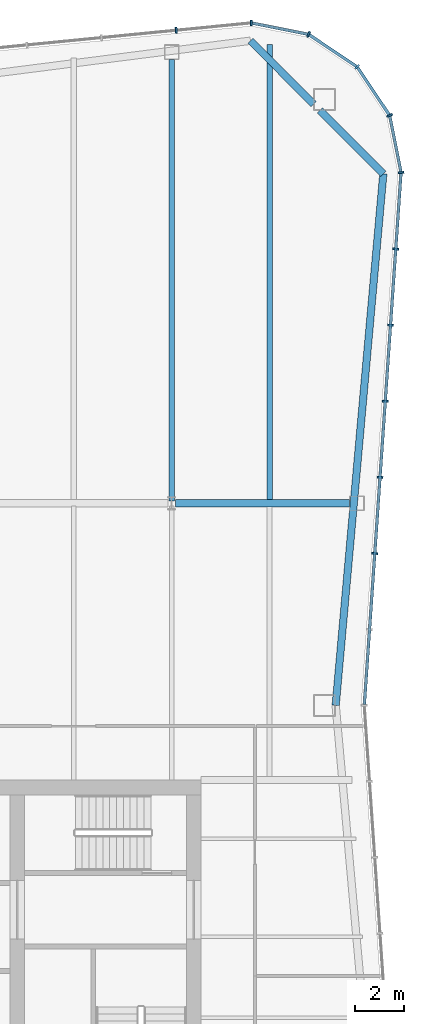
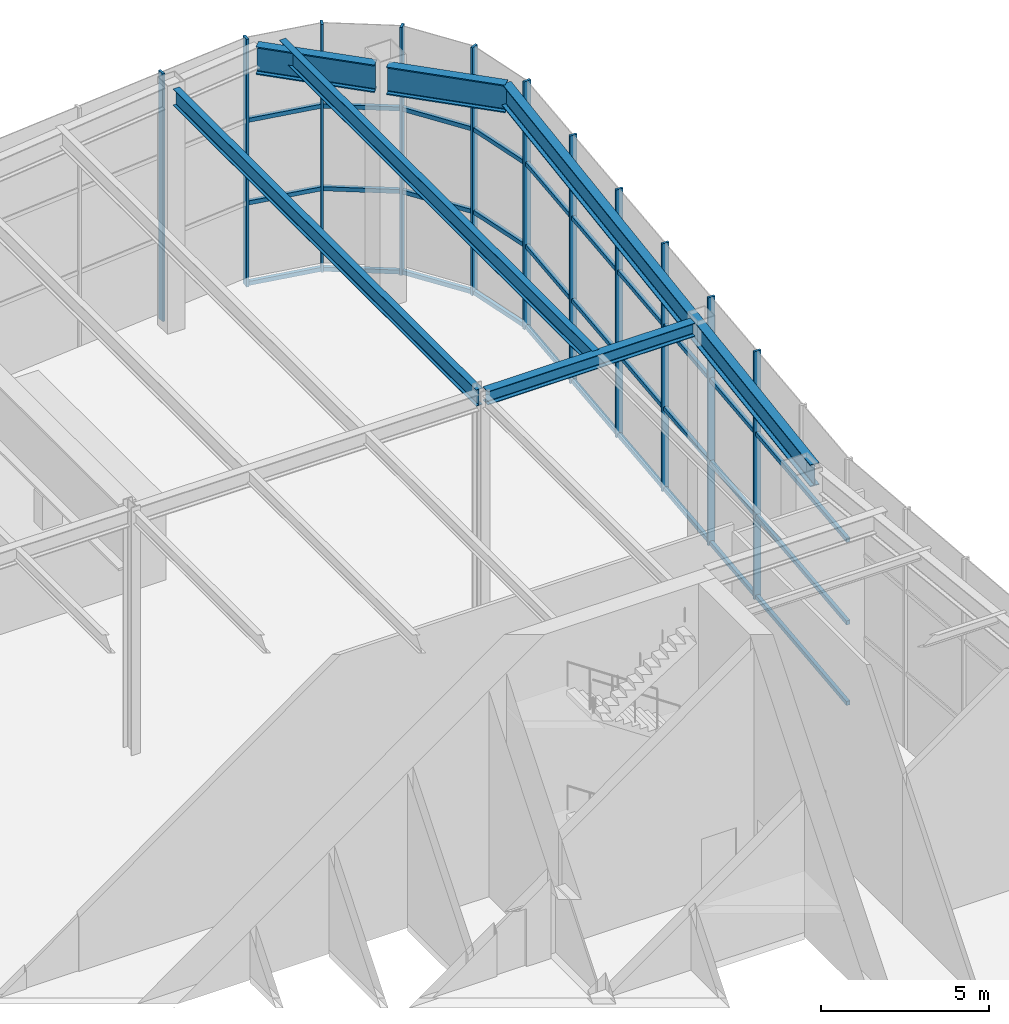
# One storey, part 7 of 16: 26 members, 6 beams, 3 elements without a shape of their own.
"""IFC4 building model written with IfcOpenShell, lengths in metres."""

import ifcopenshell
import ifcopenshell.guid

model = None  # the IFC model being written
_history = None  # IfcOwnerHistory: only IFC2X3 demands one
_inside = {}  # id of a spatial element -> (the spatial element, [elements in it])
_under = {}  # id of a project, library or spatial element -> (it, [spatial elements below it])
_declared = {}  # id of a project -> (the project, [libraries it declares])
_typed = {}  # id of a type object -> (the type object, [elements of that type])
_made_of = {}  # id of a material, layer set ... -> (it, [elements and type objects made of it])


def new_model(schema):
    """Start an empty IFC model of exactly this schema.

    Asked for "IFC4X3", IfcOpenShell would pick the latest addendum, in which some entities
    have other attributes; the version numbers below select the first issue.
    IFC2X3 requires an IfcOwnerHistory on every rooted entity: one is made here for all.
    """
    global model, _history
    if schema == "IFC4X3":
        model = ifcopenshell.file(schema_version=(4, 3, 0, 0))
    else:
        model = ifcopenshell.file(schema=schema)
    _inside.clear()
    _under.clear()
    _declared.clear()
    _typed.clear()
    _made_of.clear()
    _history = None
    if model.schema == "IFC2X3":
        org = make("IfcOrganization", Name="unknown")
        user = make(
            "IfcPersonAndOrganization",
            ThePerson=make("IfcPerson", FamilyName="unknown"),
            TheOrganization=org,
        )
        app = make(
            "IfcApplication",
            ApplicationDeveloper=org,
            Version="unknown",
            ApplicationFullName="unknown",
            ApplicationIdentifier="unknown",
        )
        _history = make(
            "IfcOwnerHistory",
            OwningUser=user,
            OwningApplication=app,
            ChangeAction="ADDED",
            CreationDate=0,
        )
    return model


def make(cls, **values):
    """One entity of the class cls with the attributes given. An attribute that is None is left unset."""
    return model.create_entity(
        cls, **{name: value for name, value in values.items() if value is not None}
    )


def rooted(cls, **values):
    """An entity with a GlobalId (a new one), such as an element, a storey or a relation."""
    return make(cls, GlobalId=ifcopenshell.guid.new(), OwnerHistory=_history, **values)


def si_unit(unit_type, name, prefix=None):
    """IfcSIUnit, for example si_unit("LENGTHUNIT", "METRE", prefix="MILLI")."""
    return make("IfcSIUnit", UnitType=unit_type, Prefix=prefix, Name=name)


def assignment(units):
    """IfcUnitAssignment: the units of a project."""
    return None if units is None else make("IfcUnitAssignment", Units=units)


def point(xyz):
    """IfcCartesianPoint."""
    return None if xyz is None else make("IfcCartesianPoint", Coordinates=xyz)


def direction(xyz):
    """IfcDirection."""
    return None if xyz is None else make("IfcDirection", DirectionRatios=xyz)


def frame(location, z_axis=None, x_axis=None):
    """IfcAxis2Placement3D, a coordinate frame: its origin and axes. An axis left out is left unset."""
    return make(
        "IfcAxis2Placement3D",
        Location=point(location),
        Axis=direction(z_axis),
        RefDirection=direction(x_axis),
    )


def frame_2d(location, x_axis=None):
    """IfcAxis2Placement2D, a coordinate frame in the plane: its origin and x axis."""
    return make(
        "IfcAxis2Placement2D", Location=point(location), RefDirection=direction(x_axis)
    )


def origin():
    """The frame at (0, 0, 0) with its axes left unset."""
    return frame((0.0, 0.0, 0.0))


def origin_2d():
    """The frame at (0, 0) in the plane with its x axis left unset."""
    return frame_2d((0.0, 0.0))


def place(relative_to, where):
    """IfcLocalPlacement: puts the frame where relative to a parent placement (None: the world)."""
    return make(
        "IfcLocalPlacement", PlacementRelTo=relative_to, RelativePlacement=where
    )


def context(
    kind, dimensions, precision=None, world=None, true_north=None, identifier=None
):
    """IfcGeometricRepresentationContext, for example the 3D "Model" context."""
    return make(
        "IfcGeometricRepresentationContext",
        ContextIdentifier=identifier,
        ContextType=kind,
        CoordinateSpaceDimension=dimensions,
        Precision=precision,
        WorldCoordinateSystem=world,
        TrueNorth=true_north,
    )


def subcontext(parent, identifier, kind, view, scale=None):
    """IfcGeometricRepresentationSubContext, for example "Body" below "Model"."""
    return make(
        "IfcGeometricRepresentationSubContext",
        ContextIdentifier=identifier,
        ContextType=kind,
        ParentContext=parent,
        TargetScale=scale,
        TargetView=view,
    )


def project(units=None, contexts=None):
    """IfcProject with its units and contexts."""
    return rooted(
        "IfcProject",
        Name="project",
        RepresentationContexts=contexts,
        UnitsInContext=assignment(units),
    )


def spatial(cls, under=None, at=None, **own):
    """A site, building, storey or space (cls), placed at a placement, below another one or the project."""
    s = rooted(cls, ObjectPlacement=at, **own)
    if under is not None:
        _under.setdefault(under.id(), (under, []))[1].append(s)
    return s


def profile(cls, at=None, kind="AREA", **sizes):
    """A parametric profile (cls). Its sizes go by their IFC names, for example OverallWidth=200.0."""
    return make(cls, ProfileType=kind, Position=at, **sizes)


def rectangle(**sizes):
    """IfcRectangleProfileDef."""
    return profile("IfcRectangleProfileDef", **sizes)


def i_section(**sizes):
    """IfcIShapeProfileDef."""
    return profile("IfcIShapeProfileDef", **sizes)


def extrude(swept, where, along, depth):
    """IfcExtrudedAreaSolid: the profile swept, set in the frame where, extruded along a direction by depth."""
    return make(
        "IfcExtrudedAreaSolid",
        SweptArea=swept,
        Position=where,
        ExtrudedDirection=direction(along),
        Depth=depth,
    )


def shape(context_of_items, identifier, shape_type, items):
    """IfcShapeRepresentation: the items that make up one representation, for example the "Body"."""
    return make(
        "IfcShapeRepresentation",
        ContextOfItems=context_of_items,
        RepresentationIdentifier=identifier,
        RepresentationType=shape_type,
        Items=items,
    )


def material(Name=None, Category=None):
    """IfcMaterial."""
    return make("IfcMaterial", Name=Name, Category=Category)


def material_profile(
    of_material, cross_section, Name=None, Category=None, Priority=None
):
    """IfcMaterialProfile: a cross section and its material."""
    return make(
        "IfcMaterialProfile",
        Name=Name,
        Material=of_material,
        Profile=cross_section,
        Priority=Priority,
        Category=Category,
    )


def profile_set(profiles, Name=None, composite=None):
    """IfcMaterialProfileSet."""
    return make(
        "IfcMaterialProfileSet",
        Name=Name,
        MaterialProfiles=profiles,
        CompositeProfile=composite,
    )


def made_of(thing, what):
    """Note that an element or type object is made of a material, layer set ...; save() writes the relation."""
    if what is not None:
        _made_of.setdefault(what.id(), (what, []))[1].append(thing)
    return thing


def type_object(cls, material=None, **own):
    """A type object (cls), such as IfcWallType, which elements share."""
    return made_of(rooted(cls, **own), material)


def element(
    cls,
    number,
    at=None,
    inside=None,
    cuts=None,
    type_object=None,
    material=None,
    context=None,
    identifier="Body",
    shape_type=None,
    held_by="IfcProductDefinitionShape",
    body=None,
    shapes=None,
    **own,
):
    """One element of the class cls, such as IfcWall. Its Tag is "e" and its number.

    at: its placement. inside: the storey or other place that contains it. cuts: it is an
    opening in that element (IfcRelVoidsElement). A single representation is given by context,
    identifier, shape_type and body (its items); several are given by shapes. held_by: the class
    of the entity that holds the representations. save() writes the other relations.
    """
    e = rooted(cls, Tag="e%d" % number, ObjectPlacement=at, **own)
    if body is not None:
        shapes = [shape(context, identifier, shape_type, body)]
    if shapes is not None:
        e.Representation = make(held_by, Representations=shapes)
    if inside is not None:
        _inside.setdefault(inside.id(), (inside, []))[1].append(e)
    if cuts is not None:
        rooted(
            "IfcRelVoidsElement", RelatingBuildingElement=cuts, RelatedOpeningElement=e
        )
    if type_object is not None:
        _typed.setdefault(type_object.id(), (type_object, []))[1].append(e)
    return made_of(e, material)


def aggregate(whole, parts):
    """IfcRelAggregates: a whole, such as a stair, and the parts it consists of."""
    return rooted("IfcRelAggregates", RelatingObject=whole, RelatedObjects=parts)


def save(model, path):
    """Write the relations noted so far, then the file.

    IfcRelAggregates (storeys below a building ...), IfcRelContainedInSpatialStructure (elements
    in a storey), IfcRelDefinesByType, IfcRelAssociatesMaterial and IfcRelDeclares: one each for
    every whole, place, type object, material and project.
    """
    for whole, parts in _under.values():
        aggregate(whole, parts)
    for where, things in _inside.values():
        rooted(
            "IfcRelContainedInSpatialStructure",
            RelatedElements=things,
            RelatingStructure=where,
        )
    for kind, things in _typed.values():
        rooted("IfcRelDefinesByType", RelatedObjects=things, RelatingType=kind)
    for what, things in _made_of.values():
        rooted("IfcRelAssociatesMaterial", RelatedObjects=things, RelatingMaterial=what)
    for by, libraries in _declared.values():
        rooted("IfcRelDeclares", RelatingContext=by, RelatedDefinitions=libraries)
    model.write(path)


model = new_model("IFC4")

# Units and contexts
model_context = context("Model", 3, precision=1e-05, world=origin(), true_north=direction((0.0, 1.0)))
body_context = subcontext(model_context, "Body", "Model", "MODEL_VIEW")
ifc_project = project(units=[si_unit("LENGTHUNIT", "METRE"), si_unit("AREAUNIT", "SQUARE_METRE"), si_unit("VOLUMEUNIT", "CUBIC_METRE"), si_unit("PLANEANGLEUNIT", "RADIAN"), si_unit("MASSUNIT", "GRAM", prefix="KILO")], contexts=[model_context])

# Site, building, storey
site_placement = place(None, origin())
site = spatial("IfcSite", under=ifc_project, at=site_placement, CompositionType="ELEMENT")
building_placement = place(site_placement, origin())
building = spatial("IfcBuilding", under=site, at=building_placement, Name="Verdant Reach Tower", CompositionType="ELEMENT")
storey_placement = place(building_placement, frame((0.0, 0.0, 340.5)))
storey = spatial("IfcBuildingStorey", under=building, at=storey_placement, Name="L78 Damper", CompositionType="ELEMENT", Elevation=340.5)

# Curtain wall, members
ifc_material_1 = material(Name="Anodised aluminium", Category="aluminium")
curtain_wall_type = type_object("IfcCurtainWallType", Name="EN-CW SYSTEM CROWN DAMPER", PredefinedType="NOTDEFINED", material=ifc_material_1)
curtain_wall_1_placement = place(storey_placement, origin())
curtain_wall_1 = element("IfcCurtainWall", 1, at=curtain_wall_1_placement, inside=storey, type_object=curtain_wall_type, Name="Curtain wall east, L78", PredefinedType="NOTDEFINED")
ifc_material_profile_1 = material_profile(ifc_material_1, rectangle(XDim=0.238037109375, YDim=0.080078125, at=origin_2d()), Name="Mullion 80x240")
ifc_profile_set_1 = profile_set([ifc_material_profile_1], Name="Anodised aluminium")
member_type_1 = type_object("IfcMemberType", Name="EN-MULLION PLANT", PredefinedType="MULLION", material=ifc_profile_set_1)
member_1_placement = place(storey_placement, frame((20.29736328125, 47.4560546875, -0.35009765625), z_axis=(0.0, 0.0, 1.0), x_axis=(0.997630328423, -0.068802091615, 0.0)))
member_1 = element("IfcMember", 2, at=member_1_placement, type_object=member_type_1, Name="Mullion east face part 2 3, L78", PredefinedType="MULLION", context=body_context, shape_type="SweptSolid", body=[
    extrude(rectangle(XDim=0.238037109375, YDim=0.080078125, at=origin_2d()), origin(), (0.0, 0.0, 1.0), 9.0),
])
member_2_placement = place(storey_placement, frame((20.511474609375, 50.563232421875, -0.35009765625), z_axis=(0.0, 0.0, 1.0), x_axis=(0.997630328423, -0.068802091615, 0.0)))
member_2 = element("IfcMember", 3, at=member_2_placement, type_object=member_type_1, Name="Mullion east face part 2 4, L78", PredefinedType="MULLION", context=body_context, shape_type="SweptSolid", body=[
    extrude(rectangle(XDim=0.238037109375, YDim=0.080078125, at=origin_2d()), origin(), (0.0, 0.0, 1.0), 9.0),
])
member_3_placement = place(storey_placement, frame((20.725830078125, 53.67041015625, -0.35009765625), z_axis=(0.0, 0.0, 1.0), x_axis=(0.997630328423, -0.068802091615, 0.0)))
member_3 = element("IfcMember", 4, at=member_3_placement, type_object=member_type_1, Name="Mullion east face part 2 5, L78", PredefinedType="MULLION", context=body_context, shape_type="SweptSolid", body=[
    extrude(rectangle(XDim=0.238037109375, YDim=0.080078125, at=origin_2d()), origin(), (0.0, 0.0, 1.0), 9.0),
])
member_4_placement = place(storey_placement, frame((20.940185546875, 56.777587890625, -0.35009765625), z_axis=(0.0, 0.0, 1.0), x_axis=(0.997630328423, -0.068802091615, 0.0)))
member_4 = element("IfcMember", 5, at=member_4_placement, type_object=member_type_1, Name="Mullion east face part 2 6, L78", PredefinedType="MULLION", context=body_context, shape_type="SweptSolid", body=[
    extrude(rectangle(XDim=0.238037109375, YDim=0.080078125, at=origin_2d()), origin(), (0.0, 0.0, 1.0), 9.0),
])
member_5_placement = place(storey_placement, frame((21.154541015625, 59.884765625, -0.35009765625), z_axis=(0.0, 0.0, 1.0), x_axis=(0.997630328423, -0.068802091615, 0.0)))
member_5 = element("IfcMember", 6, at=member_5_placement, type_object=member_type_1, Name="Mullion east face part 2 7, L78", PredefinedType="MULLION", context=body_context, shape_type="SweptSolid", body=[
    extrude(rectangle(XDim=0.238037109375, YDim=0.080078125, at=origin_2d()), origin(), (0.0, 0.0, 1.0), 9.0),
])

curtain_wall_2_placement = place(storey_placement, origin())
curtain_wall_2 = element("IfcCurtainWall", 7, at=curtain_wall_2_placement, inside=storey, type_object=curtain_wall_type, Name="Curtain wall north-east corner, L78", PredefinedType="NOTDEFINED")
member_6_placement = place(storey_placement, frame((21.36865234375, 63.007568359375, -0.35009765625), z_axis=(0.0, 0.0, 1.0), x_axis=(0.997969180898, 0.063698618332, 0.0)))
member_6 = element("IfcMember", 8, at=member_6_placement, type_object=member_type_1, Name="Mullion north-east corner 1, L78", PredefinedType="MULLION", context=body_context, shape_type="SweptSolid", body=[
    extrude(rectangle(XDim=0.238037109375, YDim=0.080078125, at=origin_2d()), origin(), (0.0, 0.0, 1.0), 9.0),
])
member_7_placement = place(storey_placement, frame((20.9033203125, 65.341552734375, -0.35009765625), z_axis=(0.0, 0.0, 1.0), x_axis=(0.923875215753, 0.382693853776, 0.0)))
member_7 = element("IfcMember", 9, at=member_7_placement, type_object=member_type_1, Name="Mullion north-east corner 2, L78", PredefinedType="MULLION", context=body_context, shape_type="SweptSolid", body=[
    extrude(rectangle(XDim=0.238037109375, YDim=0.080078125, at=origin_2d()), origin(), (0.0, 0.0, 1.0), 9.0),
])
member_8_placement = place(storey_placement, frame((19.57666015625, 67.32666015625, -0.35009765625), z_axis=(0.0, 0.0, 1.0), x_axis=(0.707106781187, 0.707106781187, 0.0)))
member_8 = element("IfcMember", 10, at=member_8_placement, type_object=member_type_1, Name="Mullion north-east corner 3, L78", PredefinedType="MULLION", context=body_context, shape_type="SweptSolid", body=[
    extrude(rectangle(XDim=0.238037109375, YDim=0.080078125, at=origin_2d()), origin(), (0.0, 0.0, 1.0), 9.0),
])
member_9_placement = place(storey_placement, frame((17.591552734375, 68.6533203125, -0.35009765625), z_axis=(0.0, 0.0, 1.0), x_axis=(0.382693853776, 0.923875215753, 0.0)))
member_9 = element("IfcMember", 11, at=member_9_placement, type_object=member_type_1, Name="Mullion north-east corner 4, L78", PredefinedType="MULLION", context=body_context, shape_type="SweptSolid", body=[
    extrude(rectangle(XDim=0.238037109375, YDim=0.080078125, at=origin_2d()), origin(), (0.0, 0.0, 1.0), 9.0),
])

curtain_wall_3_placement = place(storey_placement, origin())
curtain_wall_3 = element("IfcCurtainWall", 12, at=curtain_wall_3_placement, inside=storey, type_object=curtain_wall_type, Name="Curtain wall north, L78", PredefinedType="NOTDEFINED")
member_10_placement = place(storey_placement, frame((15.255859375, 69.118896484375, -0.35009765625), z_axis=(0.0, 0.0, 1.0), x_axis=(0.049127596288, 0.998792510626, 0.0)))
member_10 = element("IfcMember", 13, at=member_10_placement, type_object=member_type_1, Name="Mullion north face part 1 1, L78", PredefinedType="MULLION", context=body_context, shape_type="SweptSolid", body=[
    extrude(rectangle(XDim=0.238037109375, YDim=0.080078125, at=origin_2d()), origin(), (0.0, 0.0, 1.0), 9.0),
])
member_11_placement = place(storey_placement, frame((12.188232421875, 68.818359375, -0.35009765625), z_axis=(0.0, 0.0, 1.0), x_axis=(-0.09788826992, 0.995197410875, 0.0)))
member_11 = element("IfcMember", 14, at=member_11_placement, type_object=member_type_1, Name="Mullion north face part 1 2, L78", PredefinedType="MULLION", context=body_context, shape_type="SweptSolid", body=[
    extrude(rectangle(XDim=0.238037109375, YDim=0.080078125, at=origin_2d()), origin(), (0.0, 0.0, 1.0), 9.0),
])
aggregate(curtain_wall_3, [member_10, member_11])

# Member
ifc_material_profile_2 = material_profile(ifc_material_1, rectangle(XDim=0.1201171875, YDim=0.14990234375, at=origin_2d()), Name="Transom 150x120")
ifc_profile_set_2 = profile_set([ifc_material_profile_2], Name="Anodised aluminium")
member_type_2 = type_object("IfcMemberType", Name="EN-TRANSOM PLANT", PredefinedType="USERDEFINED", material=ifc_profile_set_2)
member_12_placement = place(storey_placement, frame((19.871826171875, 41.289794921875, -0.27490234375), z_axis=(0.068761218296, 0.997633146431, 0.0), x_axis=(-0.997633146431, 0.068761218296, 0.0)))
member_12 = element("IfcMember", 15, at=member_12_placement, type_object=member_type_2, Name="Transom east face part 2 1.1, L78", ObjectType="TRANSOM", PredefinedType="USERDEFINED", context=body_context, shape_type="SweptSolid", body=[
    extrude(rectangle(XDim=0.1201171875, YDim=0.14990234375, at=origin_2d()), origin(), (0.0, 0.0, 1.0), 21.7294921875),
])

member_13_placement = place(storey_placement, frame((19.871826171875, 41.289794921875, 2.64990234375), z_axis=(0.068761218296, 0.997633146431, 0.0), x_axis=(-0.997633146431, 0.068761218296, 0.0)))
member_13 = element("IfcMember", 16, at=member_13_placement, type_object=member_type_2, Name="Transom east face part 2 1.2, L78", ObjectType="TRANSOM", PredefinedType="USERDEFINED", context=body_context, shape_type="SweptSolid", body=[
    extrude(rectangle(XDim=0.1201171875, YDim=0.14990234375, at=origin_2d()), origin(), (0.0, 0.0, 1.0), 21.7294921875),
])

member_14_placement = place(storey_placement, frame((19.871826171875, 41.289794921875, 5.64990234375), z_axis=(0.068761218296, 0.997633146431, 0.0), x_axis=(-0.997633146431, 0.068761218296, 0.0)))
member_14 = element("IfcMember", 17, at=member_14_placement, type_object=member_type_2, Name="Transom east face part 2 1.3, L78", ObjectType="TRANSOM", PredefinedType="USERDEFINED", context=body_context, shape_type="SweptSolid", body=[
    extrude(rectangle(XDim=0.1201171875, YDim=0.14990234375, at=origin_2d()), origin(), (0.0, 0.0, 1.0), 21.7294921875),
])

aggregate(curtain_wall_1, [member_1, member_2, member_3, member_4, member_5, member_12, member_13, member_14])

member_15_placement = place(storey_placement, frame((21.36083984375, 63.046875, -0.27490234375), z_axis=(-0.195524121666, 0.980698892549, 0.0), x_axis=(-0.980698892549, -0.195524121666, 0.0)))
member_15 = element("IfcMember", 18, at=member_15_placement, type_object=member_type_2, Name="Transom north-east corner 1.1, L78", ObjectType="TRANSOM", PredefinedType="USERDEFINED", context=body_context, shape_type="SweptSolid", body=[
    extrude(rectangle(XDim=0.1201171875, YDim=0.14990234375, at=origin_2d()), origin(), (0.0, 0.0, 1.0), 2.300048828125),
])

member_16_placement = place(storey_placement, frame((20.881103515625, 65.375, -0.27490234375), z_axis=(-0.5556764556, 0.831398626828, 0.0), x_axis=(-0.831398626828, -0.5556764556, 0.0)))
member_16 = element("IfcMember", 19, at=member_16_placement, type_object=member_type_2, Name="Transom north-east corner 2.1, L78", ObjectType="TRANSOM", PredefinedType="USERDEFINED", context=body_context, shape_type="SweptSolid", body=[
    extrude(rectangle(XDim=0.1201171875, YDim=0.14990234375, at=origin_2d()), origin(), (0.0, 0.0, 1.0), 2.3076171875),
])

member_17_placement = place(storey_placement, frame((19.54345703125, 67.348876953125, -0.27490234375), z_axis=(-0.831398626828, 0.5556764556, 0.0), x_axis=(-0.5556764556, -0.831398626828, 0.0)))
member_17 = element("IfcMember", 20, at=member_17_placement, type_object=member_type_2, Name="Transom north-east corner 3.1, L78", ObjectType="TRANSOM", PredefinedType="USERDEFINED", context=body_context, shape_type="SweptSolid", body=[
    extrude(rectangle(XDim=0.1201171875, YDim=0.14990234375, at=origin_2d()), origin(), (0.0, 0.0, 1.0), 2.3076171875),
])

member_18_placement = place(storey_placement, frame((17.552490234375, 68.6611328125, -0.27490234375), z_axis=(-0.980706937788, 0.195483764476, 0.0), x_axis=(-0.195483764476, -0.980706937788, 0.0)))
member_18 = element("IfcMember", 21, at=member_18_placement, type_object=member_type_2, Name="Transom north-east corner 4.1, L78", ObjectType="TRANSOM", PredefinedType="USERDEFINED", context=body_context, shape_type="SweptSolid", body=[
    extrude(rectangle(XDim=0.1201171875, YDim=0.14990234375, at=origin_2d()), origin(), (0.0, 0.0, 1.0), 2.3017578125),
])

member_19_placement = place(storey_placement, frame((21.36083984375, 63.046875, 2.64990234375), z_axis=(-0.195524121666, 0.980698892549, 0.0), x_axis=(-0.980698892549, -0.195524121666, 0.0)))
member_19 = element("IfcMember", 22, at=member_19_placement, type_object=member_type_2, Name="Transom north-east corner 1.2, L78", ObjectType="TRANSOM", PredefinedType="USERDEFINED", context=body_context, shape_type="SweptSolid", body=[
    extrude(rectangle(XDim=0.1201171875, YDim=0.14990234375, at=origin_2d()), origin(), (0.0, 0.0, 1.0), 2.300048828125),
])

member_20_placement = place(storey_placement, frame((20.881103515625, 65.375, 2.64990234375), z_axis=(-0.5556764556, 0.831398626828, 0.0), x_axis=(-0.831398626828, -0.5556764556, 0.0)))
member_20 = element("IfcMember", 23, at=member_20_placement, type_object=member_type_2, Name="Transom north-east corner 2.2, L78", ObjectType="TRANSOM", PredefinedType="USERDEFINED", context=body_context, shape_type="SweptSolid", body=[
    extrude(rectangle(XDim=0.1201171875, YDim=0.14990234375, at=origin_2d()), origin(), (0.0, 0.0, 1.0), 2.3076171875),
])

member_21_placement = place(storey_placement, frame((19.54345703125, 67.348876953125, 2.64990234375), z_axis=(-0.831398626828, 0.5556764556, 0.0), x_axis=(-0.5556764556, -0.831398626828, 0.0)))
member_21 = element("IfcMember", 24, at=member_21_placement, type_object=member_type_2, Name="Transom north-east corner 3.2, L78", ObjectType="TRANSOM", PredefinedType="USERDEFINED", context=body_context, shape_type="SweptSolid", body=[
    extrude(rectangle(XDim=0.1201171875, YDim=0.14990234375, at=origin_2d()), origin(), (0.0, 0.0, 1.0), 2.3076171875),
])

member_22_placement = place(storey_placement, frame((17.552490234375, 68.6611328125, 2.64990234375), z_axis=(-0.980706937788, 0.195483764476, 0.0), x_axis=(-0.195483764476, -0.980706937788, 0.0)))
member_22 = element("IfcMember", 25, at=member_22_placement, type_object=member_type_2, Name="Transom north-east corner 4.2, L78", ObjectType="TRANSOM", PredefinedType="USERDEFINED", context=body_context, shape_type="SweptSolid", body=[
    extrude(rectangle(XDim=0.1201171875, YDim=0.14990234375, at=origin_2d()), origin(), (0.0, 0.0, 1.0), 2.3017578125),
])

member_23_placement = place(storey_placement, frame((21.36083984375, 63.046875, 5.64990234375), z_axis=(-0.195524121666, 0.980698892549, 0.0), x_axis=(-0.980698892549, -0.195524121666, 0.0)))
member_23 = element("IfcMember", 26, at=member_23_placement, type_object=member_type_2, Name="Transom north-east corner 1.3, L78", ObjectType="TRANSOM", PredefinedType="USERDEFINED", context=body_context, shape_type="SweptSolid", body=[
    extrude(rectangle(XDim=0.1201171875, YDim=0.14990234375, at=origin_2d()), origin(), (0.0, 0.0, 1.0), 2.300048828125),
])

member_24_placement = place(storey_placement, frame((20.881103515625, 65.375, 5.64990234375), z_axis=(-0.5556764556, 0.831398626828, 0.0), x_axis=(-0.831398626828, -0.5556764556, 0.0)))
member_24 = element("IfcMember", 27, at=member_24_placement, type_object=member_type_2, Name="Transom north-east corner 2.3, L78", ObjectType="TRANSOM", PredefinedType="USERDEFINED", context=body_context, shape_type="SweptSolid", body=[
    extrude(rectangle(XDim=0.1201171875, YDim=0.14990234375, at=origin_2d()), origin(), (0.0, 0.0, 1.0), 2.3076171875),
])

member_25_placement = place(storey_placement, frame((19.54345703125, 67.348876953125, 5.64990234375), z_axis=(-0.831398626828, 0.5556764556, 0.0), x_axis=(-0.5556764556, -0.831398626828, 0.0)))
member_25 = element("IfcMember", 28, at=member_25_placement, type_object=member_type_2, Name="Transom north-east corner 3.3, L78", ObjectType="TRANSOM", PredefinedType="USERDEFINED", context=body_context, shape_type="SweptSolid", body=[
    extrude(rectangle(XDim=0.1201171875, YDim=0.14990234375, at=origin_2d()), origin(), (0.0, 0.0, 1.0), 2.3076171875),
])

member_26_placement = place(storey_placement, frame((17.552490234375, 68.6611328125, 5.64990234375), z_axis=(-0.980706937788, 0.195483764476, 0.0), x_axis=(-0.195483764476, -0.980706937788, 0.0)))
member_26 = element("IfcMember", 29, at=member_26_placement, type_object=member_type_2, Name="Transom north-east corner 4.3, L78", ObjectType="TRANSOM", PredefinedType="USERDEFINED", context=body_context, shape_type="SweptSolid", body=[
    extrude(rectangle(XDim=0.1201171875, YDim=0.14990234375, at=origin_2d()), origin(), (0.0, 0.0, 1.0), 2.3017578125),
])

aggregate(curtain_wall_2, [member_6, member_7, member_8, member_9, member_15, member_16, member_17, member_18, member_19, member_20, member_21, member_22, member_23, member_24, member_25, member_26])

# Beams
ifc_material_2 = material(Name="Steel S355", Category="steel")
ifc_material_profile_3 = material_profile(ifc_material_2, i_section(OverallWidth=0.300048828125, OverallDepth=0.489990234375, WebThickness=0.011962890625, FlangeThickness=0.02294921875, FilletRadius=0.027099609375, at=origin_2d()), Name="HEA 500")
ifc_profile_set_3 = profile_set([ifc_material_profile_3], Name="Steel S355")
beam_type_1 = type_object("IfcBeamType", Name="ST-BEAM-HEA500", PredefinedType="BEAM", material=ifc_profile_set_3)
beam_1_placement = place(storey_placement, frame((12.153076171875, 49.5, 8.60498046875), z_axis=(1.0, 0.0, 0.0), x_axis=(0.0, 1.0, 0.0)))
element("IfcBeam", 30, at=beam_1_placement, inside=storey, type_object=beam_type_1, Name="Row girder, L78 Damper", PredefinedType="BEAM", context=body_context, shape_type="SweptSolid", body=[
    extrude(i_section(OverallWidth=0.300048828125, OverallDepth=0.489990234375, WebThickness=0.011962890625, FlangeThickness=0.02294921875, FilletRadius=0.027099609375, at=origin_2d()), origin(), (0.0, 0.0, 1.0), 7.115966796875),
])
ifc_material_profile_4 = material_profile(ifc_material_2, i_section(OverallWidth=0.219970703125, OverallDepth=0.60009765625, WebThickness=0.011962890625, FlangeThickness=0.01904296875, FilletRadius=0.02392578125, at=origin_2d()), Name="IPE 600")
ifc_profile_set_4 = profile_set([ifc_material_profile_4], Name="Steel S355")
beam_type_2 = type_object("IfcBeamType", Name="ST-JOIST-IPE600", PredefinedType="JOIST", material=ifc_profile_set_4)
beam_2_placement = place(storey_placement, frame((12.0, 49.60009765625, 8.550048828125), z_axis=(0.0, 1.0, 0.0), x_axis=(-1.0, 0.0, 0.0)))
element("IfcBeam", 31, at=beam_2_placement, inside=storey, type_object=beam_type_2, Name="Floor joist, L78 Damper", PredefinedType="JOIST", context=body_context, shape_type="SweptSolid", body=[
    extrude(i_section(OverallWidth=0.219970703125, OverallDepth=0.60009765625, WebThickness=0.011962890625, FlangeThickness=0.01904296875, FilletRadius=0.02392578125, at=origin_2d()), origin(), (0.0, 0.0, 1.0), 18.0302734375),
])
beam_3_placement = place(storey_placement, frame((16.0, 49.60009765625, 8.550048828125), z_axis=(0.0, 1.0, 0.0), x_axis=(-1.0, 0.0, 0.0)))
element("IfcBeam", 32, at=beam_3_placement, inside=storey, type_object=beam_type_2, Name="Floor joist, L78 Damper", PredefinedType="JOIST", context=body_context, shape_type="SweptSolid", body=[
    extrude(i_section(OverallWidth=0.219970703125, OverallDepth=0.60009765625, WebThickness=0.011962890625, FlangeThickness=0.01904296875, FilletRadius=0.02392578125, at=origin_2d()), origin(), (0.0, 0.0, 1.0), 18.638916015625),
])
ifc_material_profile_5 = material_profile(ifc_material_2, i_section(OverallWidth=0.300048828125, OverallDepth=0.800048828125, WebThickness=0.017578125, FlangeThickness=0.032958984375, FilletRadius=0.030029296875, at=origin_2d()), Name="HEB 800")
ifc_profile_set_5 = profile_set([ifc_material_profile_5], Name="Steel S355")
beam_type_3 = type_object("IfcBeamType", Name="ST-SPANDREL-HEB800", PredefinedType="SPANDREL", material=ifc_profile_set_5)
beam_4_placement = place(storey_placement, frame((20.64599609375, 62.96142578125, 8.449951171875), z_axis=(-0.089274399498, -0.996007069048, 0.0), x_axis=(0.996007069048, -0.089274399498, 0.0)))
element("IfcBeam", 33, at=beam_4_placement, inside=storey, type_object=beam_type_3, Name="Edge beam, L78 Damper", PredefinedType="SPANDREL", context=body_context, shape_type="SweptSolid", body=[
    extrude(i_section(OverallWidth=0.300048828125, OverallDepth=0.800048828125, WebThickness=0.017578125, FlangeThickness=0.032958984375, FilletRadius=0.030029296875, at=origin_2d()), origin(), (0.0, 0.0, 1.0), 21.798583984375),
])
ifc_material_profile_6 = material_profile(ifc_material_2, i_section(OverallWidth=0.302001953125, OverallDepth=1.008056640625, WebThickness=0.02099609375, FlangeThickness=0.0400390625, FilletRadius=0.030029296875, at=origin_2d()), Name="HEM 1000")
ifc_profile_set_6 = profile_set([ifc_material_profile_6], Name="Steel S355")
beam_type_4 = type_object("IfcBeamType", Name="ST-SPANDREL-HEM1000", PredefinedType="SPANDREL", material=ifc_profile_set_6)
beam_5_placement = place(storey_placement, frame((15.22021484375, 68.394287109375, 8.345947265625), z_axis=(0.706638520854, -0.707574731632, 0.0), x_axis=(0.707574731632, 0.706638520854, 0.0)))
element("IfcBeam", 34, at=beam_5_placement, inside=storey, type_object=beam_type_4, Name="Edge beam, L78 Damper", PredefinedType="SPANDREL", context=body_context, shape_type="SweptSolid", body=[
    extrude(i_section(OverallWidth=0.302001953125, OverallDepth=1.008056640625, WebThickness=0.02099609375, FlangeThickness=0.0400390625, FilletRadius=0.030029296875, at=origin_2d()), origin(), (0.0, 0.0, 1.0), 3.65087890625),
])
beam_6_placement = place(storey_placement, frame((18.060791015625, 65.550048828125, 8.345947265625), z_axis=(0.706639493403, -0.707573760369, 0.0), x_axis=(0.707573760369, 0.706639493403, 0.0)))
element("IfcBeam", 35, at=beam_6_placement, inside=storey, type_object=beam_type_4, Name="Edge beam, L78 Damper", PredefinedType="SPANDREL", context=body_context, shape_type="SweptSolid", body=[
    extrude(i_section(OverallWidth=0.302001953125, OverallDepth=1.008056640625, WebThickness=0.02099609375, FlangeThickness=0.0400390625, FilletRadius=0.030029296875, at=origin_2d()), origin(), (0.0, 0.0, 1.0), 3.658447265625),
])

save(model, "model.ifc")
